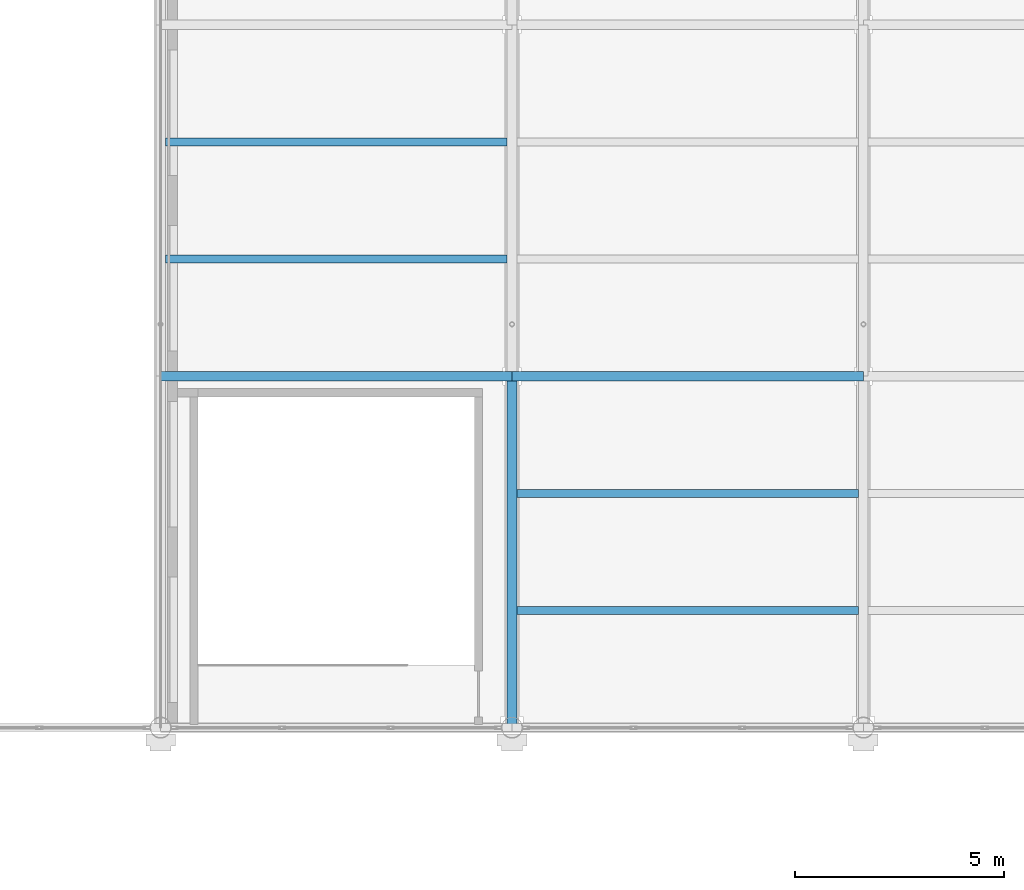
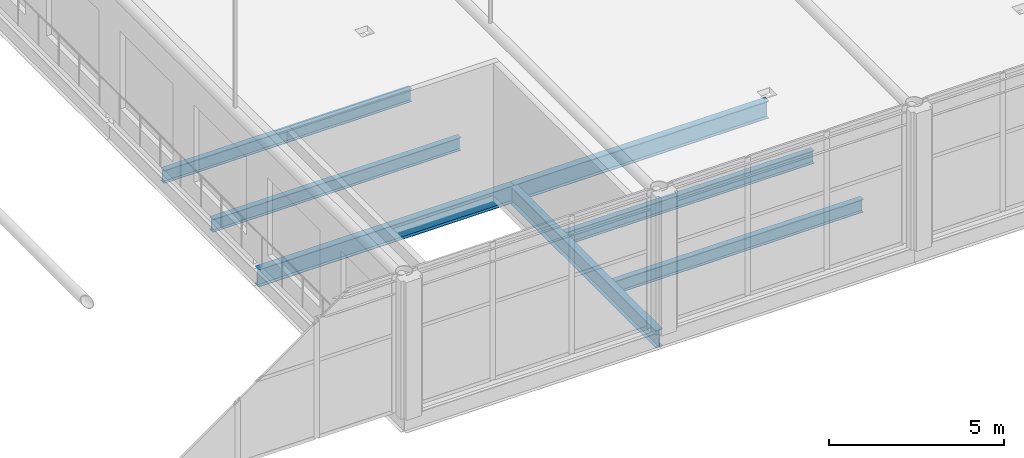
# One storey, part 27 of 167: 7 beams.
"""IFC4 building model written with IfcOpenShell, lengths in metres."""

from ifc_helpers import new_model, si_unit, direction, frame, origin, origin_2d, place, context, subcontext, project, spatial, i_section, extrude, material, material_profile, profile_set, type_object, element, save


model = new_model("IFC4")

# Units and contexts
model_context = context("Model", 3, precision=1e-05, world=origin(), true_north=direction((0.0, 1.0)))
body_context = subcontext(model_context, "Body", "Model", "MODEL_VIEW")
ifc_project = project(units=[si_unit("LENGTHUNIT", "METRE"), si_unit("AREAUNIT", "SQUARE_METRE"), si_unit("VOLUMEUNIT", "CUBIC_METRE"), si_unit("PLANEANGLEUNIT", "RADIAN"), si_unit("MASSUNIT", "GRAM", prefix="KILO")], contexts=[model_context])

# Site, building, storey
site_placement = place(None, origin())
site = spatial("IfcSite", under=ifc_project, at=site_placement, CompositionType="ELEMENT")
building_placement = place(site_placement, origin())
building = spatial("IfcBuilding", under=site, at=building_placement, Name="Catenary Quay Ferry Terminal", CompositionType="ELEMENT")
storey_placement = place(building_placement, frame((0.0, 0.0, 6.0)))
storey = spatial("IfcBuildingStorey", under=building, at=storey_placement, Name="L01", CompositionType="ELEMENT", Elevation=6.0)

# Beams
ifc_material_1 = material(Name="Steel S355", Category="steel")
ifc_material_profile_1 = material_profile(ifc_material_1, i_section(OverallWidth=0.2275390625, OverallDepth=0.6025390625, WebThickness=0.010498046875, FlangeThickness=0.014892578125, at=origin_2d()), Name="UB 610x229x101")
ifc_profile_set_1 = profile_set([ifc_material_profile_1], Name="Steel S355")
beam_type_1 = type_object("IfcBeamType", Name="B3 UB 610x229x101", PredefinedType="BEAM", material=ifc_profile_set_1)
beam_placement = place(storey_placement, frame((58.800048828125, 75.60009765625, -0.5009765625), z_axis=(1.0, 0.0, 0.0), x_axis=(0.0, 1.0, 0.0)))
element("IfcBeam", 1, at=beam_placement, inside=storey, type_object=beam_type_1, Name="Beam B3-005", PredefinedType="BEAM", context=body_context, shape_type="SweptSolid", body=[
    extrude(i_section(OverallWidth=0.2275390625, OverallDepth=0.6025390625, WebThickness=0.010498046875, FlangeThickness=0.014892578125, at=origin_2d()), origin(), (0.0, 0.0, 1.0), 8.39990234375),
])
for number, where, z_axis, x_axis, name in (
    (2, (67.199951171875, 75.60009765625, -0.5009765625), (1.0, 0.0, 0.0), (0.0, 1.0, 0.0), "Beam B3-006"),
    (3, (67.199951171875, 67.199951171875, -0.5009765625), (0.0, 1.0, 0.0), (-1.0, 0.0, 0.0), "Beam B3-030"),
):
    element("IfcBeam", number, at=place(storey_placement, frame(where, z_axis=z_axis, x_axis=x_axis)), inside=storey, type_object=beam_type_1, Name=name, PredefinedType="BEAM", context=body_context, shape_type="SweptSolid", body=[
        extrude(i_section(OverallWidth=0.2275390625, OverallDepth=0.6025390625, WebThickness=0.010498046875, FlangeThickness=0.014892578125, at=origin_2d()), origin(), (0.0, 0.0, 1.0), 8.400146484375),
    ])
ifc_material_2 = material(Name="Steel S355", Category="steel")
ifc_material_profile_2 = material_profile(ifc_material_2, i_section(OverallWidth=0.18994140625, OverallDepth=0.449951171875, WebThickness=0.009521484375, FlangeThickness=0.0146484375, at=origin_2d()), Name="IPE 450")
ifc_profile_set_2 = profile_set([ifc_material_profile_2], Name="Steel S355")
beam_type_2 = type_object("IfcBeamType", Name="B4 IPE 450", PredefinedType="BEAM", material=ifc_profile_set_2)
for number, where, z_axis, x_axis, name in (
    (4, (67.31396484375, 70.0, -0.425048828125), (1.0, 0.0, 0.0), (0.0, 1.0, 0.0), "Beam B4-001"),
    (5, (67.31396484375, 72.800048828125, -0.425048828125), (1.0, 0.0, 0.0), (0.0, 1.0, 0.0), "Beam B4-003"),
):
    element("IfcBeam", number, at=place(storey_placement, frame(where, z_axis=z_axis, x_axis=x_axis)), inside=storey, type_object=beam_type_2, Name=name, PredefinedType="BEAM", context=body_context, shape_type="SweptSolid", body=[
        extrude(i_section(OverallWidth=0.18994140625, OverallDepth=0.449951171875, WebThickness=0.009521484375, FlangeThickness=0.0146484375, at=origin_2d()), origin(), (0.0, 0.0, 1.0), 8.172119140625),
    ])
for number, where, z_axis, x_axis, name in (
    (6, (58.9140625, 78.39990234375, -0.425048828125), (1.0, 0.0, 0.0), (0.0, 1.0, 0.0), "Beam B4-005"),
    (7, (58.9140625, 81.199951171875, -0.425048828125), (1.0, 0.0, 0.0), (0.0, 1.0, 0.0), "Beam B4-009"),
):
    element("IfcBeam", number, at=place(storey_placement, frame(where, z_axis=z_axis, x_axis=x_axis)), inside=storey, type_object=beam_type_2, Name=name, PredefinedType="BEAM", context=body_context, shape_type="SweptSolid", body=[
        extrude(i_section(OverallWidth=0.18994140625, OverallDepth=0.449951171875, WebThickness=0.009521484375, FlangeThickness=0.0146484375, at=origin_2d()), origin(), (0.0, 0.0, 1.0), 8.171875),
    ])

save(model, "model.ifc")
